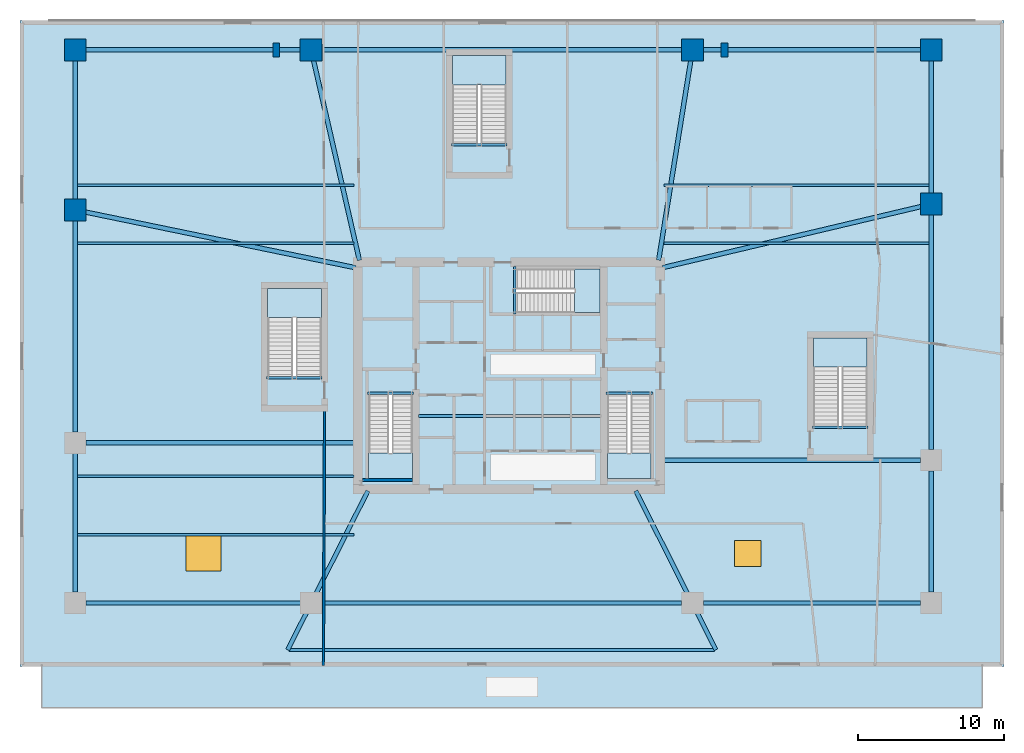
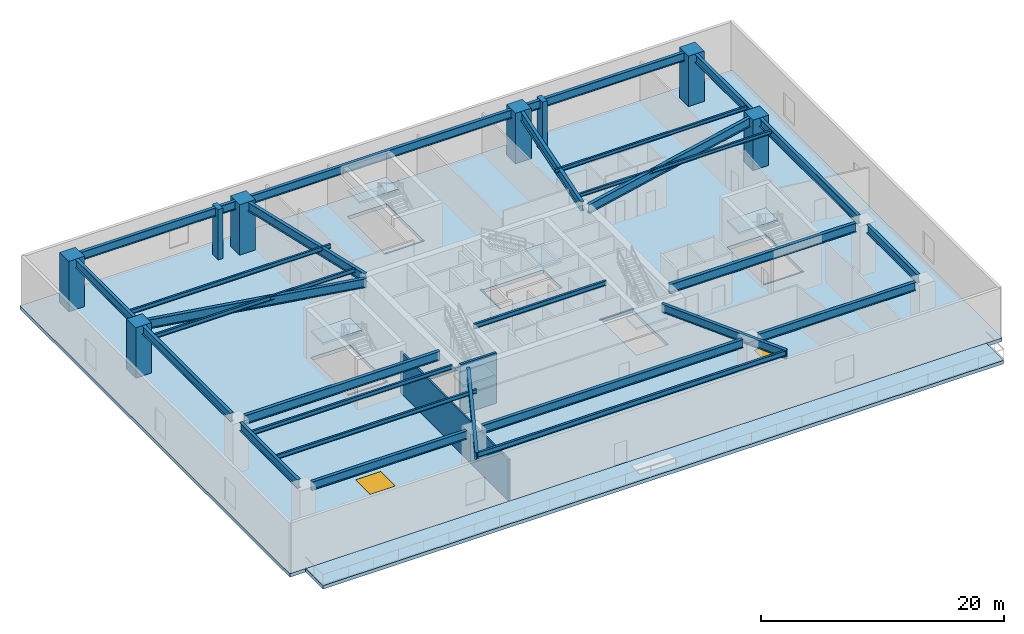
# One storey, part 3 of 11: 34 beams, 8 columns, 8 slabs, 2 walls, 2 windows, 2 openings, 6 elements without a shape of their own.
"""IFC4 building model written with IfcOpenShell, lengths in metres."""

from ifc_helpers import new_model, si_unit, direction, frame, frame_2d, origin, origin_2d, place, context, subcontext, project, spatial, polyline, rectangle, i_section, outline, extrude, material, layer, layer_set, material_profile, profile_set, type_object, element, fill, aggregate, save


model = new_model("IFC4")

# Units and contexts
model_context = context("Model", 3, precision=1e-05, world=origin(), true_north=direction((0.0, 1.0)))
body_context = subcontext(model_context, "Body", "Model", "MODEL_VIEW")
ifc_project = project(units=[si_unit("LENGTHUNIT", "METRE"), si_unit("AREAUNIT", "SQUARE_METRE"), si_unit("VOLUMEUNIT", "CUBIC_METRE"), si_unit("PLANEANGLEUNIT", "RADIAN"), si_unit("MASSUNIT", "GRAM", prefix="KILO")], contexts=[model_context])

# Site, building, storey
site_placement = place(None, origin())
site = spatial("IfcSite", under=ifc_project, at=site_placement, CompositionType="ELEMENT")
building_placement = place(site_placement, origin())
building = spatial("IfcBuilding", under=site, at=building_placement, Name="Qarnah Convention Tower", CompositionType="ELEMENT")
storey_placement = place(building_placement, frame((0.0, 0.0, 10.800048828125)))
storey = spatial("IfcBuildingStorey", under=building, at=storey_placement, Name="L02", CompositionType="ELEMENT", Elevation=10.800048828125)

# Columns
ifc_material_1 = material(Name="Concrete C60/75", Category="concrete")
ifc_material_profile_1 = material_profile(ifc_material_1, rectangle(XDim=1.5, YDim=1.5, at=origin_2d()), Name="RC-COL-1500X1500")
ifc_profile_set_1 = profile_set([ifc_material_profile_1], Name="Concrete C60/75")
column_type_1 = type_object("IfcColumnType", Name="COL-MC1500", PredefinedType="COLUMN", material=ifc_profile_set_1)
for number, where, z_axis, x_axis, name in (
    (1, (66.199951171875, 38.199951171875, 0.0), (0.0, 0.0, 1.0), (1.0, 0.0, 0.0), "L02 plumb column MC-06"),
    (2, (66.199951171875, 48.800048828125, 0.0), (0.0, 0.0, 1.0), (1.0, 0.0, 0.0), "L02 plumb column MC-07"),
    (3, (49.800048828125, 48.800048828125, 0.0), (0.0, 0.0, 1.0), (1.0, 0.0, 0.0), "L02 plumb column MC-08"),
    (4, (23.60009765625, 48.800048828125, 0.0), (0.0, 0.0, 1.0), (1.0, 0.0, 0.0), "L02 plumb column MC-09"),
    (5, (7.39990234375, 48.800048828125, 0.0), (0.0, 0.0, 1.0), (1.0, 0.0, 0.0), "L02 plumb column MC-10"),
    (6, (7.39990234375, 37.800048828125, 0.0), (0.0, 0.0, 1.0), (1.0, 0.0, 0.0), "L02 plumb column MC-11"),
):
    element("IfcColumn", number, at=place(storey_placement, frame(where, z_axis=z_axis, x_axis=x_axis)), inside=storey, type_object=column_type_1, Name=name, PredefinedType="COLUMN", context=body_context, shape_type="SweptSolid", body=[
        extrude(rectangle(XDim=1.5, YDim=1.5, at=origin_2d()), origin(), (0.0, 0.0, 1.0), 5.050048828125),
    ])
ifc_material_2 = material(Name="Precast concrete C45/55", Category="concrete")
ifc_material_profile_2 = material_profile(ifc_material_2, rectangle(XDim=0.449951171875, YDim=0.949951171875, at=origin_2d()), Name="PC-RIB-450X950")
ifc_profile_set_2 = profile_set([ifc_material_profile_2], Name="Precast concrete C45/55")
column_type_2 = type_object("IfcColumnType", Name="PIL-POD-450", PredefinedType="PILASTER", material=ifc_profile_set_2)
for number, where, z_axis, x_axis, name in (
    (7, (21.199951171875, 48.800048828125, 0.0), (0.0, 0.0, 1.0), (1.0, 0.0, 0.0), "L02 structural concrete pilaster 1"),
    (8, (52.0, 48.800048828125, 0.0), (0.0, 0.0, 1.0), (1.0, 0.0, 0.0), "L02 structural concrete pilaster 2"),
):
    element("IfcColumn", number, at=place(storey_placement, frame(where, z_axis=z_axis, x_axis=x_axis)), inside=storey, type_object=column_type_2, Name=name, PredefinedType="PILASTER", context=body_context, shape_type="SweptSolid", body=[
        extrude(rectangle(XDim=0.449951171875, YDim=0.949951171875, at=origin_2d()), origin(), (0.0, 0.0, 1.0), 5.050048828125),
    ])

# Beams
ifc_material_3 = material(Name="Structural steel S355JR", Category="steel")
ifc_material_profile_3 = material_profile(ifc_material_3, i_section(OverallWidth=0.19189453125, OverallDepth=0.464111328125, WebThickness=0.010986328125, FlangeThickness=0.01806640625, at=origin_2d()), Name="W460X89")
ifc_profile_set_3 = profile_set([ifc_material_profile_3], Name="Structural steel S355JR")
beam_type_1 = type_object("IfcBeamType", Name="BM-CANT-W460A", PredefinedType="BEAM", material=ifc_profile_set_3)
beam_1_placement = place(storey_placement, frame((30.97998046875, 23.64990234375, 4.81787109375), z_axis=(1.0, 0.0, 0.0), x_axis=(0.0, 1.0, 0.0)))
element("IfcBeam", 9, at=beam_1_placement, inside=storey, type_object=beam_type_1, Name="L02 beam BM-L02-KC1", PredefinedType="BEAM", context=body_context, shape_type="SweptSolid", body=[
    extrude(i_section(OverallWidth=0.19189453125, OverallDepth=0.464111328125, WebThickness=0.010986328125, FlangeThickness=0.01806640625, at=origin_2d()), origin(), (0.0, 0.0, 1.0), 12.5400390625),
])
ifc_material_profile_4 = material_profile(ifc_material_3, i_section(OverallWidth=0.166015625, OverallDepth=0.31201171875, WebThickness=0.007080078125, FlangeThickness=0.010986328125, at=origin_2d()), Name="W310X45")
ifc_profile_set_4 = profile_set([ifc_material_profile_4], Name="Structural steel S355JR")
beam_type_2 = type_object("IfcBeamType", Name="BM-JST-W310", PredefinedType="JOIST", material=ifc_profile_set_4)
for number, where, z_axis, x_axis, name in (
    (10, (27.4599609375, 25.217041015625, -0.156005859375), (1.0, 0.0, 0.0), (0.0, 1.0, 0.0), "L02 stair landing trimmer beam BM-L02-ST1-TRM"),
    (11, (43.860107421875, 25.217041015625, -0.156005859375), (1.0, 0.0, 0.0), (0.0, 1.0, 0.0), "L02 stair landing trimmer beam BM-L02-ST2-TRM"),
):
    element("IfcBeam", number, at=place(storey_placement, frame(where, z_axis=z_axis, x_axis=x_axis)), inside=storey, type_object=beam_type_2, Name=name, PredefinedType="BEAM", context=body_context, shape_type="SweptSolid", body=[
        extrude(i_section(OverallWidth=0.166015625, OverallDepth=0.31201171875, WebThickness=0.007080078125, FlangeThickness=0.010986328125, at=origin_2d()), origin(), (0.0, 0.0, 1.0), 3.179931640625),
    ])
beam_2_placement = place(storey_placement, frame((37.5830078125, 30.659912109375, -0.156005859375), z_axis=(0.0, 1.0, 0.0), x_axis=(-1.0, 0.0, 0.0)))
element("IfcBeam", 12, at=beam_2_placement, inside=storey, type_object=beam_type_2, Name="L02 stair landing trimmer beam BM-L02-ST3-TRM", PredefinedType="BEAM", context=body_context, shape_type="SweptSolid", body=[
    extrude(i_section(OverallWidth=0.166015625, OverallDepth=0.31201171875, WebThickness=0.007080078125, FlangeThickness=0.010986328125, at=origin_2d()), origin(), (0.0, 0.0, 1.0), 3.239990234375),
])
for number, where, z_axis, x_axis, name in (
    (13, (58.050048828125, 22.883056640625, -0.156005859375), (1.0, 0.0, 0.0), (0.0, 1.0, 0.0), "L02 podium stair trimmer beam BM-L02-ST4-TRM"),
    (14, (20.550048828125, 26.282958984375, -0.156005859375), (1.0, 0.0, 0.0), (0.0, 1.0, 0.0), "L02 podium stair trimmer beam BM-L02-ST5-TRM"),
    (15, (33.25, 42.282958984375, -0.156005859375), (1.0, 0.0, 0.0), (0.0, 1.0, 0.0), "L02 podium stair trimmer beam BM-L02-ST6-TRM"),
):
    element("IfcBeam", number, at=place(storey_placement, frame(where, z_axis=z_axis, x_axis=x_axis)), inside=storey, type_object=beam_type_2, Name=name, PredefinedType="BEAM", context=body_context, shape_type="SweptSolid", body=[
        extrude(i_section(OverallWidth=0.166015625, OverallDepth=0.31201171875, WebThickness=0.007080078125, FlangeThickness=0.010986328125, at=origin_2d()), origin(), (0.0, 0.0, 1.0), 3.800048828125),
    ])
ifc_material_profile_5 = material_profile(ifc_material_3, i_section(OverallWidth=0.172119140625, OverallDepth=0.35595703125, WebThickness=0.007080078125, FlangeThickness=0.011962890625, at=origin_2d()), Name="W360X51")
ifc_profile_set_5 = profile_set([ifc_material_profile_5], Name="Structural steel S355JR")
beam_type_3 = type_object("IfcBeamType", Name="BM-JST-W360", PredefinedType="JOIST", material=ifc_profile_set_5)
for number, where, z_axis, x_axis, name in (
    (16, (47.85009765625, 35.5, 4.8720703125), (1.0, 0.0, 0.0), (0.0, 1.0, 0.0), "L02 joist BM-L02-JSTE-03"),
    (17, (47.85009765625, 39.5, 4.8720703125), (1.0, 0.0, 0.0), (0.0, 1.0, 0.0), "L02 joist BM-L02-JSTE-04"),
):
    element("IfcBeam", number, at=place(storey_placement, frame(where, z_axis=z_axis, x_axis=x_axis)), inside=storey, type_object=beam_type_3, Name=name, PredefinedType="JOIST", context=body_context, shape_type="SweptSolid", body=[
        extrude(i_section(OverallWidth=0.172119140625, OverallDepth=0.35595703125, WebThickness=0.007080078125, FlangeThickness=0.011962890625, at=origin_2d()), origin(), (0.0, 0.0, 1.0), 18.2099609375),
    ])
ifc_material_profile_6 = material_profile(ifc_material_3, i_section(OverallWidth=0.177978515625, OverallDepth=0.407958984375, WebThickness=0.008056640625, FlangeThickness=0.012939453125, at=origin_2d()), Name="W410X60")
ifc_profile_set_6 = profile_set([ifc_material_profile_6], Name="Structural steel S355JR")
beam_type_4 = type_object("IfcBeamType", Name="BM-JST-W410", PredefinedType="JOIST", material=ifc_profile_set_6)
for number, where, z_axis, x_axis, name in (
    (18, (7.5400390625, 15.5, 4.845947265625), (1.0, 0.0, 0.0), (0.0, 1.0, 0.0), "L02 joist BM-L02-JSTW-01"),
    (19, (7.5400390625, 19.5, 4.845947265625), (1.0, 0.0, 0.0), (0.0, 1.0, 0.0), "L02 joist BM-L02-JSTW-02"),
    (20, (7.5400390625, 35.5, 4.845947265625), (1.0, 0.0, 0.0), (0.0, 1.0, 0.0), "L02 joist BM-L02-JSTW-03"),
    (21, (7.5400390625, 39.5, 4.845947265625), (1.0, 0.0, 0.0), (0.0, 1.0, 0.0), "L02 joist BM-L02-JSTW-04"),
):
    element("IfcBeam", number, at=place(storey_placement, frame(where, z_axis=z_axis, x_axis=x_axis)), inside=storey, type_object=beam_type_4, Name=name, PredefinedType="JOIST", context=body_context, shape_type="SweptSolid", body=[
        extrude(i_section(OverallWidth=0.177978515625, OverallDepth=0.407958984375, WebThickness=0.008056640625, FlangeThickness=0.012939453125, at=origin_2d()), origin(), (0.0, 0.0, 1.0), 19.010009765625),
    ])
ifc_material_profile_7 = material_profile(ifc_material_3, i_section(OverallWidth=0.2939453125, OverallDepth=0.843994140625, WebThickness=0.01708984375, FlangeThickness=0.02587890625, at=origin_2d()), Name="W840X251")
ifc_profile_set_7 = profile_set([ifc_material_profile_7], Name="Structural steel S355JR")
beam_type_5 = type_object("IfcBeamType", Name="BM-POD-W840A", PredefinedType="BEAM", material=ifc_profile_set_7)
beam_3_placement = place(storey_placement, frame((8.139892578125, 10.800048828125, 4.6279296875), z_axis=(1.0, 0.0, 0.0), x_axis=(0.0, 1.0, 0.0)))
element("IfcBeam", 22, at=beam_3_placement, inside=storey, type_object=beam_type_5, Name="L02 spandrel BM-L02-PRG-01", PredefinedType="SPANDREL", context=body_context, shape_type="SweptSolid", body=[
    extrude(i_section(OverallWidth=0.2939453125, OverallDepth=0.843994140625, WebThickness=0.01708984375, FlangeThickness=0.02587890625, at=origin_2d()), origin(), (0.0, 0.0, 1.0), 14.72021484375),
])
beam_4_placement = place(storey_placement, frame((24.340087890625, 10.800048828125, 4.6279296875), z_axis=(1.0, 0.0, 0.0), x_axis=(0.0, 1.0, 0.0)))
element("IfcBeam", 23, at=beam_4_placement, inside=storey, type_object=beam_type_5, Name="L02 spandrel BM-L02-PRG-02", PredefinedType="SPANDREL", context=body_context, shape_type="SweptSolid", body=[
    extrude(i_section(OverallWidth=0.2939453125, OverallDepth=0.843994140625, WebThickness=0.01708984375, FlangeThickness=0.02587890625, at=origin_2d()), origin(), (0.0, 0.0, 1.0), 24.719970703125),
])
beam_5_placement = place(storey_placement, frame((50.5400390625, 10.800048828125, 4.6279296875), z_axis=(1.0, 0.0, 0.0), x_axis=(0.0, 1.0, 0.0)))
element("IfcBeam", 24, at=beam_5_placement, inside=storey, type_object=beam_type_5, Name="L02 spandrel BM-L02-PRG-03", PredefinedType="SPANDREL", context=body_context, shape_type="SweptSolid", body=[
    extrude(i_section(OverallWidth=0.2939453125, OverallDepth=0.843994140625, WebThickness=0.01708984375, FlangeThickness=0.02587890625, at=origin_2d()), origin(), (0.0, 0.0, 1.0), 14.919921875),
])
beam_6_placement = place(storey_placement, frame((66.199951171875, 11.5400390625, 4.6279296875), z_axis=(0.0, 1.0, 0.0), x_axis=(-1.0, 0.0, 0.0)))
element("IfcBeam", 25, at=beam_6_placement, inside=storey, type_object=beam_type_5, Name="L02 spandrel BM-L02-PRG-04", PredefinedType="SPANDREL", context=body_context, shape_type="SweptSolid", body=[
    extrude(i_section(OverallWidth=0.2939453125, OverallDepth=0.843994140625, WebThickness=0.01708984375, FlangeThickness=0.02587890625, at=origin_2d()), origin(), (0.0, 0.0, 1.0), 8.320068359375),
])
beam_7_placement = place(storey_placement, frame((66.199951171875, 21.340087890625, 4.6279296875), z_axis=(0.0, 1.0, 0.0), x_axis=(-1.0, 0.0, 0.0)))
element("IfcBeam", 26, at=beam_7_placement, inside=storey, type_object=beam_type_5, Name="L02 spandrel BM-L02-PRG-05", PredefinedType="SPANDREL", context=body_context, shape_type="SweptSolid", body=[
    extrude(i_section(OverallWidth=0.2939453125, OverallDepth=0.843994140625, WebThickness=0.01708984375, FlangeThickness=0.02587890625, at=origin_2d()), origin(), (0.0, 0.0, 1.0), 16.119873046875),
])
beam_8_placement = place(storey_placement, frame((66.199951171875, 38.93994140625, 4.6279296875), z_axis=(0.0, 1.0, 0.0), x_axis=(-1.0, 0.0, 0.0)))
element("IfcBeam", 27, at=beam_8_placement, inside=storey, type_object=beam_type_5, Name="L02 spandrel BM-L02-PRG-06", PredefinedType="SPANDREL", context=body_context, shape_type="SweptSolid", body=[
    extrude(i_section(OverallWidth=0.2939453125, OverallDepth=0.843994140625, WebThickness=0.01708984375, FlangeThickness=0.02587890625, at=origin_2d()), origin(), (0.0, 0.0, 1.0), 9.1201171875),
])
beam_9_placement = place(storey_placement, frame((65.4599609375, 48.800048828125, 4.6279296875), z_axis=(-1.0, 0.0, 0.0), x_axis=(0.0, -1.0, 0.0)))
element("IfcBeam", 28, at=beam_9_placement, inside=storey, type_object=beam_type_5, Name="L02 spandrel BM-L02-PRG-07", PredefinedType="SPANDREL", context=body_context, shape_type="SweptSolid", body=[
    extrude(i_section(OverallWidth=0.2939453125, OverallDepth=0.843994140625, WebThickness=0.01708984375, FlangeThickness=0.02587890625, at=origin_2d()), origin(), (0.0, 0.0, 1.0), 14.919921875),
])
beam_10_placement = place(storey_placement, frame((49.06005859375, 48.800048828125, 4.6279296875), z_axis=(-1.0, 0.0, 0.0), x_axis=(0.0, -1.0, 0.0)))
element("IfcBeam", 29, at=beam_10_placement, inside=storey, type_object=beam_type_5, Name="L02 spandrel BM-L02-PRG-08", PredefinedType="SPANDREL", context=body_context, shape_type="SweptSolid", body=[
    extrude(i_section(OverallWidth=0.2939453125, OverallDepth=0.843994140625, WebThickness=0.01708984375, FlangeThickness=0.02587890625, at=origin_2d()), origin(), (0.0, 0.0, 1.0), 24.719970703125),
])
beam_11_placement = place(storey_placement, frame((22.860107421875, 48.800048828125, 4.6279296875), z_axis=(-1.0, 0.0, 0.0), x_axis=(0.0, -1.0, 0.0)))
element("IfcBeam", 30, at=beam_11_placement, inside=storey, type_object=beam_type_5, Name="L02 spandrel BM-L02-PRG-09", PredefinedType="SPANDREL", context=body_context, shape_type="SweptSolid", body=[
    extrude(i_section(OverallWidth=0.2939453125, OverallDepth=0.843994140625, WebThickness=0.01708984375, FlangeThickness=0.02587890625, at=origin_2d()), origin(), (0.0, 0.0, 1.0), 14.72021484375),
])
beam_12_placement = place(storey_placement, frame((7.39990234375, 48.06005859375, 4.6279296875), z_axis=(0.0, -1.0, 0.0), x_axis=(1.0, 0.0, 0.0)))
element("IfcBeam", 31, at=beam_12_placement, inside=storey, type_object=beam_type_5, Name="L02 spandrel BM-L02-PRG-10", PredefinedType="SPANDREL", context=body_context, shape_type="SweptSolid", body=[
    extrude(i_section(OverallWidth=0.2939453125, OverallDepth=0.843994140625, WebThickness=0.01708984375, FlangeThickness=0.02587890625, at=origin_2d()), origin(), (0.0, 0.0, 1.0), 9.52001953125),
])
beam_13_placement = place(storey_placement, frame((7.39990234375, 37.06005859375, 4.6279296875), z_axis=(0.0, -1.0, 0.0), x_axis=(1.0, 0.0, 0.0)))
element("IfcBeam", 32, at=beam_13_placement, inside=storey, type_object=beam_type_5, Name="L02 spandrel BM-L02-PRG-11", PredefinedType="SPANDREL", context=body_context, shape_type="SweptSolid", body=[
    extrude(i_section(OverallWidth=0.2939453125, OverallDepth=0.843994140625, WebThickness=0.01708984375, FlangeThickness=0.02587890625, at=origin_2d()), origin(), (0.0, 0.0, 1.0), 14.52001953125),
])
beam_14_placement = place(storey_placement, frame((7.39990234375, 21.06005859375, 4.6279296875), z_axis=(0.0, -1.0, 0.0), x_axis=(1.0, 0.0, 0.0)))
element("IfcBeam", 33, at=beam_14_placement, inside=storey, type_object=beam_type_5, Name="L02 spandrel BM-L02-PRG-12", PredefinedType="SPANDREL", context=body_context, shape_type="SweptSolid", body=[
    extrude(i_section(OverallWidth=0.2939453125, OverallDepth=0.843994140625, WebThickness=0.01708984375, FlangeThickness=0.02587890625, at=origin_2d()), origin(), (0.0, 0.0, 1.0), 9.52001953125),
])
ifc_material_profile_8 = material_profile(ifc_material_3, i_section(OverallWidth=0.2900390625, OverallDepth=0.83203125, WebThickness=0.014892578125, FlangeThickness=0.02001953125, at=origin_2d()), Name="W840X193")
ifc_profile_set_8 = profile_set([ifc_material_profile_8], Name="Structural steel S355JR")
beam_type_6 = type_object("IfcBeamType", Name="BM-POD-W840B", PredefinedType="BEAM", material=ifc_profile_set_8)
for number, where, z_axis, x_axis, name in (
    (34, (27.5, 18.5, 4.634033203125), (-0.450484090128, -0.892784455813, 0.0), (0.892784455813, -0.450484090128, 0.0), "L02 beam BM-L02-TSUP-01"),
    (35, (45.89990234375, 18.5, 4.634033203125), (0.450484090128, -0.892784455813, 0.0), (0.892784455813, 0.450484090128, 0.0), "L02 beam BM-L02-TSUP-02"),
):
    element("IfcBeam", number, at=place(storey_placement, frame(where, z_axis=z_axis, x_axis=x_axis)), inside=storey, type_object=beam_type_6, Name=name, PredefinedType="BEAM", context=body_context, shape_type="SweptSolid", body=[
        extrude(i_section(OverallWidth=0.2900390625, OverallDepth=0.83203125, WebThickness=0.014892578125, FlangeThickness=0.02001953125, at=origin_2d()), origin(), (0.0, 0.0, 1.0), 12.231201171875),
    ])
ifc_material_profile_9 = material_profile(ifc_material_3, i_section(OverallWidth=0.303955078125, OverallDepth=0.89990234375, WebThickness=0.01806640625, FlangeThickness=0.02587890625, at=origin_2d()), Name="W920X271")
ifc_profile_set_9 = profile_set([ifc_material_profile_9], Name="Structural steel S355JR")
beam_type_7 = type_object("IfcBeamType", Name="BM-POD-W920B", PredefinedType="BEAM", material=ifc_profile_set_9)
beam_15_placement = place(storey_placement, frame((65.4599609375, 20.60009765625, 4.599853515625), z_axis=(-1.0, 0.0, 0.0), x_axis=(0.0, -1.0, 0.0)))
element("IfcBeam", 36, at=beam_15_placement, inside=storey, type_object=beam_type_7, Name="L02 beam BM-L02-CSP-05", PredefinedType="BEAM", context=body_context, shape_type="SweptSolid", body=[
    extrude(i_section(OverallWidth=0.303955078125, OverallDepth=0.89990234375, WebThickness=0.01806640625, FlangeThickness=0.02587890625, at=origin_2d()), origin(), (0.0, 0.0, 1.0), 17.7099609375),
])
beam_16_placement = place(storey_placement, frame((65.47998046875, 38.030029296875, 4.599853515625), z_axis=(-0.973142555293, -0.230203316826, 0.0), x_axis=(0.230203316826, -0.973142555293, 0.0)))
element("IfcBeam", 37, at=beam_16_placement, inside=storey, type_object=beam_type_7, Name="L02 beam BM-L02-CSP-06", PredefinedType="BEAM", context=body_context, shape_type="SweptSolid", body=[
    extrude(i_section(OverallWidth=0.303955078125, OverallDepth=0.89990234375, WebThickness=0.01806640625, FlangeThickness=0.02587890625, at=origin_2d()), origin(), (0.0, 0.0, 1.0), 18.223388671875),
])
beam_17_placement = place(storey_placement, frame((49.681884765625, 48.069091796875, 4.599853515625), z_axis=(-0.158858513675, -0.987301358569, 0.0), x_axis=(0.987301358569, -0.158858513675, 0.0)))
element("IfcBeam", 38, at=beam_17_placement, inside=storey, type_object=beam_type_7, Name="L02 beam BM-L02-CSP-08", PredefinedType="BEAM", context=body_context, shape_type="SweptSolid", body=[
    extrude(i_section(OverallWidth=0.303955078125, OverallDepth=0.89990234375, WebThickness=0.01806640625, FlangeThickness=0.02587890625, at=origin_2d()), origin(), (0.0, 0.0, 1.0), 13.897705078125),
])
beam_18_placement = place(storey_placement, frame((23.764892578125, 48.0791015625, 4.599853515625), z_axis=(0.223641950583, -0.974671369201, 0.0), x_axis=(0.974671369201, 0.223641950583, 0.0)))
element("IfcBeam", 39, at=beam_18_placement, inside=storey, type_object=beam_type_7, Name="L02 beam BM-L02-CSP-09", PredefinedType="BEAM", context=body_context, shape_type="SweptSolid", body=[
    extrude(i_section(OverallWidth=0.303955078125, OverallDepth=0.89990234375, WebThickness=0.01806640625, FlangeThickness=0.02587890625, at=origin_2d()), origin(), (0.0, 0.0, 1.0), 14.090087890625),
])
beam_19_placement = place(storey_placement, frame((8.125, 37.65087890625, 4.599853515625), z_axis=(0.979392295242, -0.201967155796, 0.0), x_axis=(0.201967155796, 0.979392295242, 0.0)))
element("IfcBeam", 40, at=beam_19_placement, inside=storey, type_object=beam_type_7, Name="L02 beam BM-L02-CSP-11", PredefinedType="BEAM", context=body_context, shape_type="SweptSolid", body=[
    extrude(i_section(OverallWidth=0.303955078125, OverallDepth=0.89990234375, WebThickness=0.01806640625, FlangeThickness=0.02587890625, at=origin_2d()), origin(), (0.0, 0.0, 1.0), 18.91796875),
])
beam_20_placement = place(storey_placement, frame((8.139892578125, 21.800048828125, 4.599853515625), z_axis=(1.0, 0.0, 0.0), x_axis=(0.0, 1.0, 0.0)))
element("IfcBeam", 41, at=beam_20_placement, inside=storey, type_object=beam_type_7, Name="L02 beam BM-L02-CSP-12", PredefinedType="BEAM", context=body_context, shape_type="SweptSolid", body=[
    extrude(i_section(OverallWidth=0.303955078125, OverallDepth=0.89990234375, WebThickness=0.01806640625, FlangeThickness=0.02587890625, at=origin_2d()), origin(), (0.0, 0.0, 1.0), 18.510009765625),
])
ifc_material_profile_10 = material_profile(ifc_material_3, i_section(OverallWidth=0.199951171875, OverallDepth=0.5, WebThickness=0.010009765625, FlangeThickness=0.01611328125, at=origin_2d()), Name="IPE500")
ifc_profile_set_10 = profile_set([ifc_material_profile_10], Name="Structural steel S355JR")
beam_type_8 = type_object("IfcBeamType", Name="BM-SPN-IPE500", PredefinedType="SPANDREL", material=ifc_profile_set_10)
beam_21_placement = place(storey_placement, frame((22.090087890625, 7.580078125, 4.800048828125), z_axis=(1.0, 0.0, 0.0), x_axis=(0.0, 1.0, 0.0)))
element("IfcBeam", 42, at=beam_21_placement, inside=storey, type_object=beam_type_8, Name="L02 spandrel BM-L02-TTIE-01", PredefinedType="SPANDREL", context=body_context, shape_type="SweptSolid", body=[
    extrude(i_section(OverallWidth=0.199951171875, OverallDepth=0.5, WebThickness=0.010009765625, FlangeThickness=0.01611328125, at=origin_2d()), origin(), (0.0, 0.0, 1.0), 29.219970703125),
])

# Stair, slab
ifc_material_4 = material(Name="Concrete C50/60", Category="concrete")
stair_type_1 = type_object("IfcStairType", Name="STR-POD", PredefinedType="HALF_TURN_STAIR", material=ifc_material_4)
stair_1_placement = place(storey_placement, origin())
stair_1 = element("IfcStair", 43, at=stair_1_placement, inside=storey, type_object=stair_type_1, Name="L02 Core exit stair ST-1", PredefinedType="HALF_TURN_STAIR")
ifc_layer_1 = layer(ifc_material_4, 0.199951171875)
ifc_layer_set_1 = layer_set([ifc_layer_1], Name="Concrete C50/60")
slab_type_1 = type_object("IfcSlabType", Name="SLB-LANDING-200", PredefinedType="LANDING", material=ifc_layer_set_1)
slab_1_placement = place(storey_placement, frame((0.0, 0.0, 2.5)))
slab_1 = element("IfcSlab", 44, at=slab_1_placement, type_object=slab_type_1, Name="ST-1 landing 1", PredefinedType="LANDING", context=body_context, shape_type="SweptSolid", body=[
    extrude(outline(polyline([(27.550048828125, 21.10009765625), (27.550048828125, 19.35009765625), (30.550048828125, 19.35009765625), (30.550048828125, 21.10009765625), (27.550048828125, 21.10009765625)])), origin(), (0.0, 0.0, 1.0), 0.199951171875),
])
aggregate(stair_1, [slab_1])

stair_2_placement = place(storey_placement, origin())
stair_2 = element("IfcStair", 45, at=stair_2_placement, inside=storey, type_object=stair_type_1, Name="L02 Core exit stair ST-2", PredefinedType="HALF_TURN_STAIR")
slab_2_placement = place(storey_placement, frame((0.0, 0.0, 2.5)))
slab_2 = element("IfcSlab", 46, at=slab_2_placement, type_object=slab_type_1, Name="ST-2 landing 1", PredefinedType="LANDING", context=body_context, shape_type="SweptSolid", body=[
    extrude(outline(polyline([(43.949951171875, 21.10009765625), (43.949951171875, 19.35009765625), (46.949951171875, 19.35009765625), (46.949951171875, 21.10009765625), (43.949951171875, 21.10009765625)])), origin(), (0.0, 0.0, 1.0), 0.199951171875),
])
aggregate(stair_2, [slab_2])

stair_3_placement = place(storey_placement, origin())
stair_3 = element("IfcStair", 47, at=stair_3_placement, inside=storey, type_object=stair_type_1, Name="L02 Core exit stair ST-3", PredefinedType="HALF_TURN_STAIR")
slab_3_placement = place(storey_placement, frame((0.0, 0.0, 2.5)))
slab_3 = element("IfcSlab", 48, at=slab_3_placement, type_object=slab_type_1, Name="ST-3 landing 1", PredefinedType="LANDING", context=body_context, shape_type="SweptSolid", body=[
    extrude(outline(polyline([(41.699951171875, 30.75), (43.449951171875, 30.75), (43.449951171875, 33.75), (41.699951171875, 33.75), (41.699951171875, 30.75)])), origin(), (0.0, 0.0, 1.0), 0.199951171875),
])
aggregate(stair_3, [slab_3])

stair_type_2 = type_object("IfcStairType", Name="STR-PODW", PredefinedType="HALF_TURN_STAIR", material=ifc_material_4)
stair_4_placement = place(storey_placement, origin())
stair_4 = element("IfcStair", 49, at=stair_4_placement, inside=storey, type_object=stair_type_2, Name="L02 Podium east convention exit stair ST-4", PredefinedType="HALF_TURN_STAIR")
slab_4_placement = place(storey_placement, frame((0.0, 0.0, 2.5)))
slab_4 = element("IfcSlab", 50, at=slab_4_placement, type_object=slab_type_1, Name="ST-4 landing 1", PredefinedType="LANDING", context=body_context, shape_type="SweptSolid", body=[
    extrude(outline(polyline([(61.800048828125, 27.0), (61.800048828125, 29.0), (58.10009765625, 29.0), (58.10009765625, 27.0), (61.800048828125, 27.0)])), origin(), (0.0, 0.0, 1.0), 0.199951171875),
])
aggregate(stair_4, [slab_4])

stair_5_placement = place(storey_placement, origin())
stair_5 = element("IfcStair", 51, at=stair_5_placement, inside=storey, type_object=stair_type_2, Name="L02 Podium west exhibition exit stair ST-5", PredefinedType="HALF_TURN_STAIR")
slab_5_placement = place(storey_placement, frame((0.0, 0.0, 2.5)))
slab_5 = element("IfcSlab", 52, at=slab_5_placement, type_object=slab_type_1, Name="ST-5 landing 1", PredefinedType="LANDING", context=body_context, shape_type="SweptSolid", body=[
    extrude(outline(polyline([(24.300048828125, 30.39990234375), (24.300048828125, 32.39990234375), (20.60009765625, 32.39990234375), (20.60009765625, 30.39990234375), (24.300048828125, 30.39990234375)])), origin(), (0.0, 0.0, 1.0), 0.199951171875),
])
aggregate(stair_5, [slab_5])

stair_6_placement = place(storey_placement, origin())
stair_6 = element("IfcStair", 53, at=stair_6_placement, inside=storey, type_object=stair_type_2, Name="L02 Podium north ballroom exit stair ST-6", PredefinedType="HALF_TURN_STAIR")
slab_6_placement = place(storey_placement, frame((0.0, 0.0, 2.5)))
slab_6 = element("IfcSlab", 54, at=slab_6_placement, type_object=slab_type_1, Name="ST-6 landing 1", PredefinedType="LANDING", context=body_context, shape_type="SweptSolid", body=[
    extrude(outline(polyline([(37.0, 46.39990234375), (37.0, 48.39990234375), (33.300048828125, 48.39990234375), (33.300048828125, 46.39990234375), (37.0, 46.39990234375)])), origin(), (0.0, 0.0, 1.0), 0.199951171875),
])
aggregate(stair_6, [slab_6])

# Slab, openings, windows
ifc_layer_2 = layer(ifc_material_4, 0.35009765625)
ifc_layer_set_2 = layer_set([ifc_layer_2], Name="Concrete C50/60")
slab_type_2 = type_object("IfcSlabType", Name="SLB-POD-350", PredefinedType="FLOOR", material=ifc_layer_set_2)
slab_7_placement = place(storey_placement, frame((0.0, 0.0, -0.35009765625)))
slab_7 = element("IfcSlab", 55, at=slab_7_placement, inside=storey, type_object=slab_type_2, Name="L02 structural floor slab", PredefinedType="FLOOR", context=body_context, shape_type="SweptSolid", body=[
    extrude(outline(polyline([(3.60009765625, 6.449951171875), (71.199951171875, 6.449951171875), (71.199951171875, 50.800048828125), (3.60009765625, 50.800048828125), (3.60009765625, 6.449951171875)]), holes=[polyline([(27.550048828125, 25.300048828125), (27.550048828125, 19.35009765625), (30.550048828125, 19.35009765625), (30.550048828125, 25.300048828125), (27.550048828125, 25.300048828125)]), polyline([(43.949951171875, 25.300048828125), (43.949951171875, 19.35009765625), (46.949951171875, 19.35009765625), (46.949951171875, 25.300048828125), (43.949951171875, 25.300048828125)]), polyline([(37.5, 30.75), (43.449951171875, 30.75), (43.449951171875, 33.75), (37.5, 33.75), (37.5, 30.75)]), polyline([(61.800048828125, 22.800048828125), (61.800048828125, 29.0), (58.10009765625, 29.0), (58.10009765625, 22.800048828125), (61.800048828125, 22.800048828125)]), polyline([(24.300048828125, 26.199951171875), (24.300048828125, 32.39990234375), (20.60009765625, 32.39990234375), (20.60009765625, 26.199951171875), (24.300048828125, 26.199951171875)]), polyline([(37.0, 42.199951171875), (37.0, 48.39990234375), (33.300048828125, 48.39990234375), (33.300048828125, 42.199951171875), (37.0, 42.199951171875)])]), origin(), (0.0, 0.0, 1.0), 0.35009765625),
])
opening_1_placement = place(slab_7_placement, frame((16.199951171875, 14.199951171875, 0.0)))
opening_1 = element("IfcOpeningElement", 56, at=opening_1_placement, cuts=slab_7, Name="Opening SK1", PredefinedType="OPENING", context=body_context, shape_type="SweptSolid", body=[
    extrude(rectangle(XDim=2.39990234375, YDim=2.39990234375, at=origin_2d()), origin(), (0.0, 0.0, 1.0), 0.35009765625),
])
opening_2_placement = place(slab_7_placement, frame((53.60009765625, 14.199951171875, 0.0)))
opening_2 = element("IfcOpeningElement", 57, at=opening_2_placement, cuts=slab_7, Name="Opening SK2", PredefinedType="OPENING", context=body_context, shape_type="SweptSolid", body=[
    extrude(rectangle(XDim=1.800048828125, YDim=1.800048828125, at=origin_2d()), origin(), (0.0, 0.0, 1.0), 0.35009765625),
])
ifc_material_5 = material(Name="Tempered Low-E dark glass", Category="glass")
window_type_1 = type_object("IfcWindowType", Name="WT-SKY-1800X1800", PartitioningType="SINGLE_PANEL", PredefinedType="SKYLIGHT", material=ifc_material_5)
window_1_placement = place(opening_2_placement, frame((0.0, 0.0, 0.300048828125)))
window_1 = element("IfcWindow", 58, at=window_1_placement, inside=storey, type_object=window_type_1, Name="L02 podium foyer skylight 2", OverallHeight=1.800048828125, OverallWidth=1.800048828125, PartitioningType="SINGLE_PANEL", PredefinedType="SKYLIGHT", context=body_context, shape_type="SweptSolid", body=[
    extrude(rectangle(XDim=1.800048828125, YDim=1.800048828125, at=origin_2d()), origin(), (0.0, 0.0, 1.0), 0.050048828125),
])
fill(opening_2, window_1)
window_type_2 = type_object("IfcWindowType", Name="WT-SKY-2400X2400", PartitioningType="SINGLE_PANEL", PredefinedType="SKYLIGHT", material=ifc_material_5)
window_2_placement = place(opening_1_placement, frame((0.0, 0.0, 0.300048828125)))
window_2 = element("IfcWindow", 59, at=window_2_placement, inside=storey, type_object=window_type_2, Name="L02 podium foyer skylight 1", OverallHeight=2.39990234375, OverallWidth=2.39990234375, PartitioningType="SINGLE_PANEL", PredefinedType="SKYLIGHT", context=body_context, shape_type="SweptSolid", body=[
    extrude(rectangle(XDim=2.39990234375, YDim=2.39990234375, at=origin_2d()), origin(), (0.0, 0.0, 1.0), 0.050048828125),
])
fill(opening_1, window_2)

# Slab
slab_8_placement = place(storey_placement, frame((0.0, 0.0, -0.35009765625)))
element("IfcSlab", 60, at=slab_8_placement, inside=storey, type_object=slab_type_2, Name="L02 cantilevered balcony slab TERR-L02-S", ObjectType="BALCONY", PredefinedType="USERDEFINED", context=body_context, shape_type="SweptSolid", body=[
    extrude(outline(polyline([(69.699951171875, 3.60009765625), (5.10009765625, 3.60009765625), (5.10009765625, 6.4541015625), (69.699951171875, 6.4541015625), (69.699951171875, 3.60009765625)])), origin(), (0.0, 0.0, 1.0), 0.35009765625),
])

# Walls
ifc_layer_3 = layer(ifc_material_1, 0.219970703125)
ifc_layer_set_3 = layer_set([ifc_layer_3], Name="Concrete C60/75")
wall_type_1 = type_object("IfcWallType", Name="WL-CORE-STAIR-220", PredefinedType="SHEAR", material=ifc_layer_set_3)
wall_1_placement = place(storey_placement, frame((27.125, 19.239990234375, 0.0), z_axis=(0.0, 0.0, 1.0), x_axis=(1.0, 0.0, 0.0)))
element("IfcWall", 61, at=wall_1_placement, inside=storey, type_object=wall_type_1, Name="L02 stair shaft shear wall SW-L02-ST1S", PredefinedType="SHEAR", context=body_context, shape_type="SweptSolid", body=[
    extrude(rectangle(XDim=3.425048828125, YDim=0.219970703125, at=frame_2d((1.71240234375, 0.0))), origin(), (0.0, 0.0, 1.0), 5.050048828125),
])
ifc_material_6 = material(Name="Gypsum partition board")
ifc_layer_4 = layer(ifc_material_6, 0.159912109375)
ifc_layer_set_4 = layer_set([ifc_layer_4], Name="Gypsum partition board")
wall_type_2 = type_object("IfcWallType", Name="WL-CORR-160", PredefinedType="PARTITIONING", material=ifc_layer_set_4)
wall_2_placement = place(storey_placement, frame((24.443115234375, 6.51708984375, 0.0), z_axis=(0.0, 0.0, 1.0), x_axis=(0.004573455882, 0.999989541696, 0.0)))
element("IfcWall", 62, at=wall_2_placement, inside=storey, type_object=wall_type_2, Name="L02 interior wall IW-L02-R-11", PredefinedType="PARTITIONING", context=body_context, shape_type="SweptSolid", body=[
    extrude(rectangle(XDim=17.883056640625, YDim=0.159912109375, at=frame_2d((8.94140625, 0.0))), origin(), (0.0, 0.0, 1.0), 4.135009765625),
])

save(model, "model.ifc")
